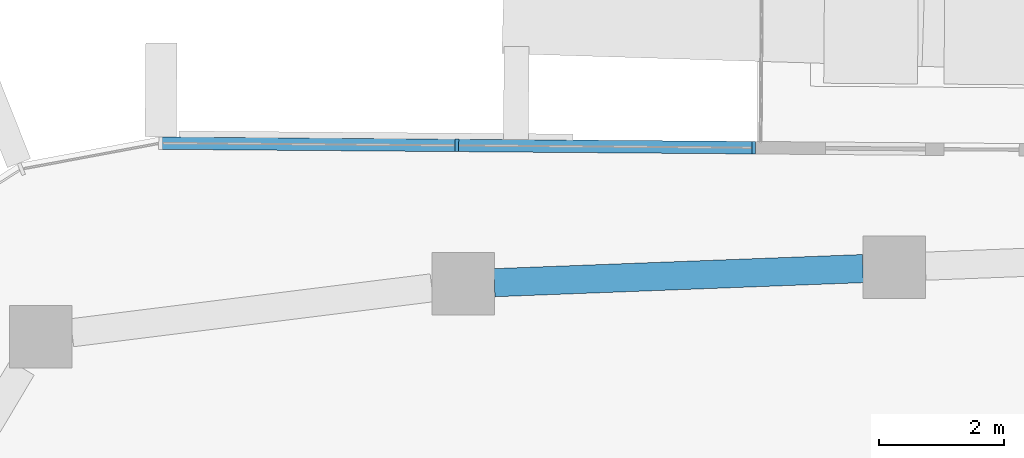
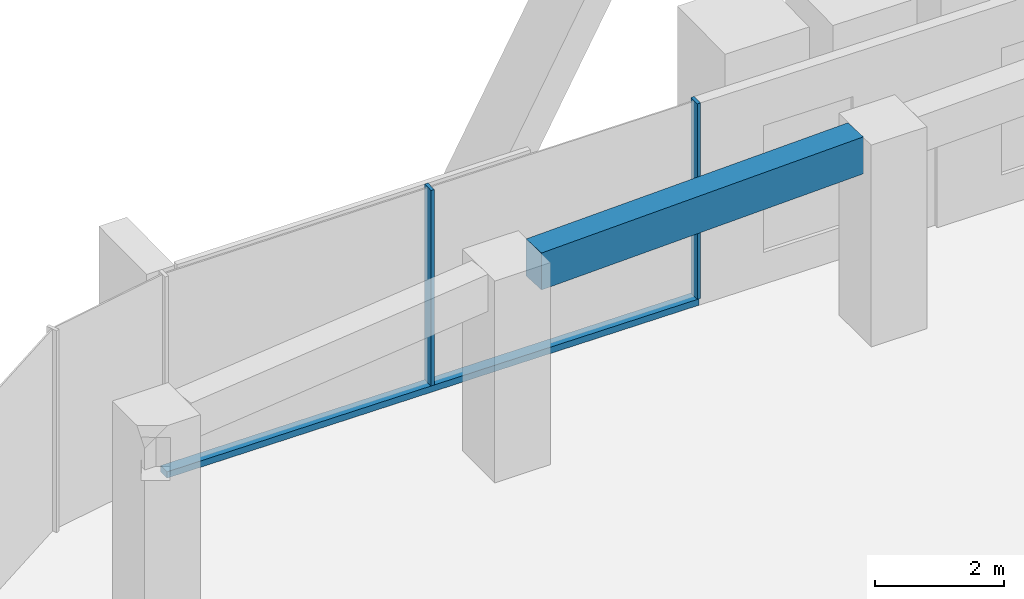
# One storey, part 7 of 23: 3 members, 1 beam, 1 element without a shape of its own.
"""IFC4 building model written with IfcOpenShell, lengths in metres."""

from ifc_helpers import new_model, si_unit, direction, frame, origin, origin_2d, place, context, subcontext, project, spatial, rectangle, extrude, material, layer, layer_set, material_profile, profile_set, type_object, element, aggregate, save


model = new_model("IFC4")

# Units and contexts
model_context = context("Model", 3, precision=1e-05, world=origin(), true_north=direction((0.0, 1.0)))
body_context = subcontext(model_context, "Body", "Model", "MODEL_VIEW")
ifc_project = project(units=[si_unit("LENGTHUNIT", "METRE"), si_unit("AREAUNIT", "SQUARE_METRE"), si_unit("VOLUMEUNIT", "CUBIC_METRE"), si_unit("PLANEANGLEUNIT", "RADIAN"), si_unit("MASSUNIT", "GRAM", prefix="KILO")], contexts=[model_context])

# Site, building, storey
site_placement = place(None, origin())
site = spatial("IfcSite", under=ifc_project, at=site_placement, CompositionType="ELEMENT")
building_placement = place(site_placement, origin())
building = spatial("IfcBuilding", under=site, at=building_placement, Name="Dongbaek Canopy Tower", CompositionType="ELEMENT")
storey_placement = place(building_placement, frame((0.0, 0.0, 327.800048828125)))
storey = spatial("IfcBuildingStorey", under=building, at=storey_placement, Name="L70", CompositionType="ELEMENT", Elevation=327.800048828125)

# Curtain wall, members
ifc_material_1 = material(Name="Aluminium 6063-T6 pale anodised", Category="aluminium")
ifc_layer = layer(ifc_material_1, 0.199951171875)
ifc_layer_set = layer_set([ifc_layer], Name="CW-1 unitised tower curtain wall")
curtain_wall_type = type_object("IfcCurtainWallType", Name="CW-1 unitised tower curtain wall", PredefinedType="NOTDEFINED", material=ifc_layer_set)
curtain_wall_placement = place(storey_placement, origin())
curtain_wall = element("IfcCurtainWall", 1, at=curtain_wall_placement, inside=storey, type_object=curtain_wall_type, Name="CW-1 curtain wall F1.1", PredefinedType="NOTDEFINED")
ifc_material_2 = material(Name="Aluminium 6063-T6 pale anodised", Category="aluminium")
ifc_material_profile_1 = material_profile(ifc_material_2, rectangle(XDim=0.199951171875, YDim=0.06005859375, at=origin_2d()), Name="CW-1 mullion 60 x 200")
ifc_profile_set_1 = profile_set([ifc_material_profile_1], Name="Aluminium 6063-T6 pale anodised")
member_type_1 = type_object("IfcMemberType", Name="CW-1 mullion 60 x 200", PredefinedType="MULLION", material=ifc_profile_set_1)
member_1_placement = place(storey_placement, frame((-3.663818359375, 29.341064453125, 0.119873046875), z_axis=(0.0, 0.0, 1.0), x_axis=(0.007781807363, 0.999969721279, 0.0)))
member_1 = element("IfcMember", 2, at=member_1_placement, type_object=member_type_1, Name="CW-1 mullion F1.1.1", PredefinedType="MULLION", context=body_context, shape_type="SweptSolid", body=[
    extrude(rectangle(XDim=0.199951171875, YDim=0.06005859375, at=origin_2d()), origin(), (0.0, 0.0, 1.0), 3.7001953125),
])
member_2_placement = place(storey_placement, frame((-8.4091796875, 29.378173828125, 0.119873046875), z_axis=(0.0, 0.0, 1.0), x_axis=(0.007781807363, 0.999969721279, 0.0)))
member_2 = element("IfcMember", 3, at=member_2_placement, type_object=member_type_1, Name="CW-1 mullion F1.1.2", PredefinedType="MULLION", context=body_context, shape_type="SweptSolid", body=[
    extrude(rectangle(XDim=0.199951171875, YDim=0.06005859375, at=origin_2d()), origin(), (0.0, 0.0, 1.0), 3.7001953125),
])
ifc_material_3 = material(Name="Aluminium 6063-T6 pale anodised", Category="aluminium")
ifc_material_profile_2 = material_profile(ifc_material_3, rectangle(XDim=0.199951171875, YDim=0.1201171875, at=origin_2d()), Name="CW-1 transom 120 x 200")
ifc_profile_set_2 = profile_set([ifc_material_profile_2], Name="Aluminium 6063-T6 pale anodised")
member_type_2 = type_object("IfcMemberType", Name="CW-1 transom 120 x 200", PredefinedType="USERDEFINED", material=ifc_profile_set_2)
member_3_placement = place(storey_placement, frame((-3.663818359375, 29.341064453125, 0.06005859375), z_axis=(-0.999969562346, 0.007802203672, 0.0), x_axis=(-0.007802203672, -0.999969562346, 0.0)))
member_3 = element("IfcMember", 4, at=member_3_placement, type_object=member_type_2, Name="CW-1 transom F1.1.1", ObjectType="TRANSOM", PredefinedType="USERDEFINED", context=body_context, shape_type="SweptSolid", body=[
    extrude(rectangle(XDim=0.199951171875, YDim=0.1201171875, at=origin_2d()), origin(), (0.0, 0.0, 1.0), 9.481201171875),
])
aggregate(curtain_wall, [member_1, member_2, member_3])

# Beam
ifc_material_4 = material(Name="Concrete C60", Category="concrete")
ifc_material_profile_3 = material_profile(ifc_material_4, rectangle(XDim=0.449951171875, YDim=0.699951171875, at=origin_2d()), Name="RC EDGE BEAM 450x700 C60")
ifc_profile_set_3 = profile_set([ifc_material_profile_3], Name="Concrete C60")
beam_type = type_object("IfcBeamType", Name="RC EDGE BEAM 450x700 C60", PredefinedType="BEAM", material=ifc_profile_set_3)
beam_placement = place(storey_placement, frame((-7.80908203125, 27.18310546875, 3.469970703125), z_axis=(0.999267644391, 0.038264538061, 0.0), x_axis=(-0.038264538061, 0.999267644391, 0.0)))
element("IfcBeam", 5, at=beam_placement, inside=storey, type_object=beam_type, Name="EDGEBEAM:L70:14", PredefinedType="BEAM", context=body_context, shape_type="SweptSolid", body=[
    extrude(rectangle(XDim=0.449951171875, YDim=0.699951171875, at=origin_2d()), origin(), (0.0, 0.0, 1.0), 5.8955078125),
])

save(model, "model.ifc")
